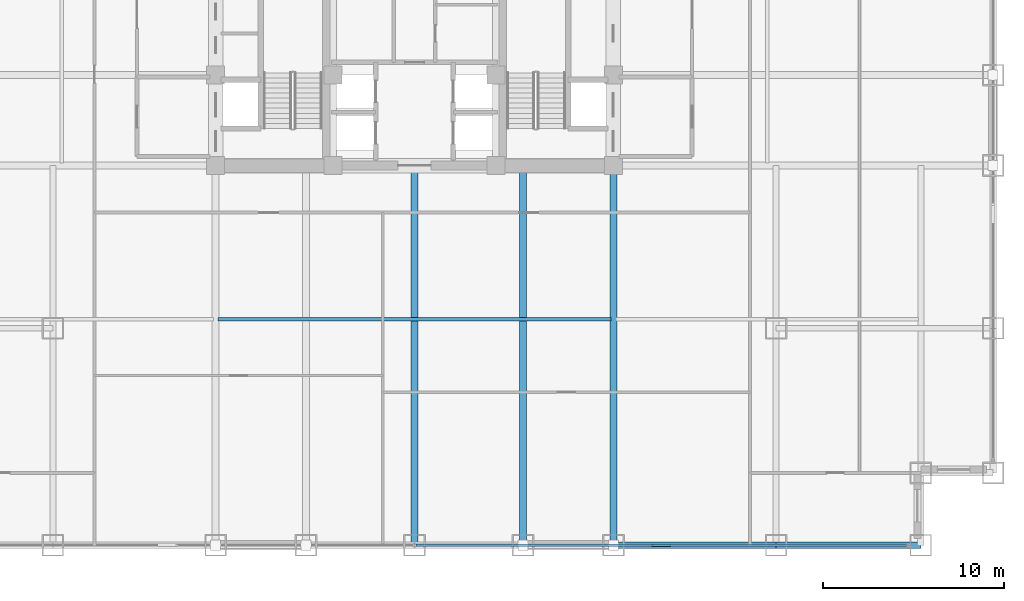
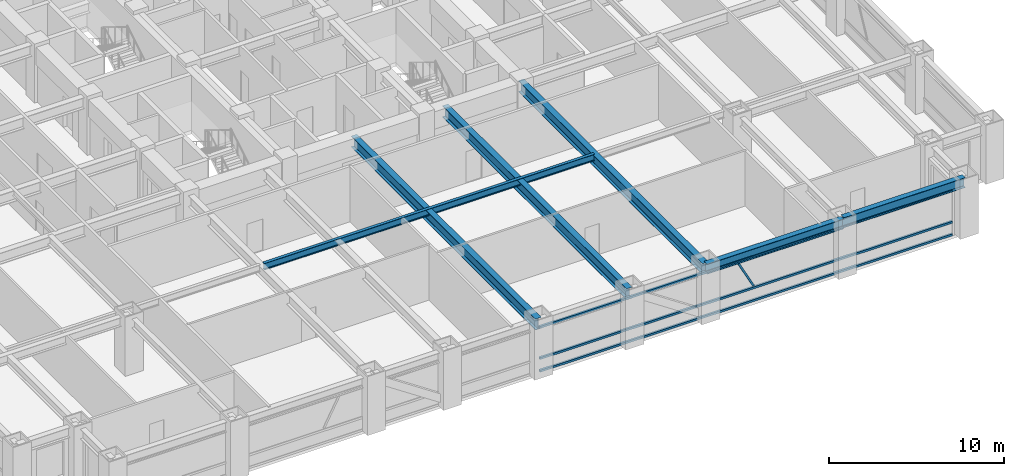
# One storey, part 5 of 27: 6 beams, 4 members, 1 element without a shape of its own.
"""IFC4 building model written with IfcOpenShell, lengths in metres."""

from ifc_helpers import new_model, si_unit, direction, frame, origin, origin_2d, place, context, subcontext, project, spatial, hollow_rectangle, i_section, extrude, source, transform, mapped, material, material_profile, profile_set, type_object, element, aggregate, save


model = new_model("IFC4")

# Units and contexts
model_context = context("Model", 3, precision=1e-05, world=origin(), true_north=direction((0.0, 1.0)))
body_context = subcontext(model_context, "Body", "Model", "MODEL_VIEW")
ifc_project = project(units=[si_unit("LENGTHUNIT", "METRE"), si_unit("AREAUNIT", "SQUARE_METRE"), si_unit("VOLUMEUNIT", "CUBIC_METRE"), si_unit("PLANEANGLEUNIT", "RADIAN"), si_unit("MASSUNIT", "GRAM", prefix="KILO")], contexts=[model_context])

# Site, building, storey
site_placement = place(None, origin())
site = spatial("IfcSite", under=ifc_project, at=site_placement, CompositionType="ELEMENT")
building_placement = place(site_placement, origin())
building = spatial("IfcBuilding", under=site, at=building_placement, Name="Khorayat Bourse Tower", CompositionType="ELEMENT")
storey_placement = place(building_placement, frame((0.0, 0.0, 140.60009765625)))
storey = spatial("IfcBuildingStorey", under=building, at=storey_placement, Name="L32", CompositionType="ELEMENT", Elevation=140.60009765625)

# Beams
ifc_material_1 = material(Name="Steel ASTM A992 Grade 50", Category="steel")
ifc_material_profile_1 = material_profile(ifc_material_1, i_section(OverallWidth=0.35498046875, OverallDepth=0.695068359375, WebThickness=0.015380859375, FlangeThickness=0.02490234375, FilletRadius=0.01806640625, at=origin_2d()), Name="W690X217")
ifc_profile_set_1 = profile_set([ifc_material_profile_1], Name="Steel ASTM A992 Grade 50")
beam_type_1 = type_object("IfcBeamType", Name="BM-SPAN-690", PredefinedType="SPANDREL", material=ifc_profile_set_1)
shared_shape_1 = source(origin(), body_context, "Body", "SweptSolid", [
    extrude(i_section(OverallWidth=0.35498046875, OverallDepth=0.695068359375, WebThickness=0.015380859375, FlangeThickness=0.02490234375, FilletRadius=0.01806640625, at=origin_2d()), origin(), (0.0, 0.0, 1.0), 9.0),
])
beam_1_placement = place(storey_placement, frame((11.0, -32.0, 3.412353515625), z_axis=(1.0, 0.0, 0.0), x_axis=(0.0, 1.0, 0.0)))
element("IfcBeam", 1, at=beam_1_placement, inside=storey, type_object=beam_type_1, Name="L32 BM-SPAN-690 BM-L32-SPN-030", PredefinedType="SPANDREL", context=body_context, shape_type="MappedRepresentation", body=[
    mapped(shared_shape_1, transform((0.0, 0.0, 0.0), scale=1.0)),
])
ifc_material_profile_2 = material_profile(ifc_material_1, i_section(OverallWidth=0.194091796875, OverallDepth=0.468994140625, WebThickness=0.0126953125, FlangeThickness=0.0205078125, FilletRadius=0.012939453125, at=origin_2d()), Name="W460X106")
ifc_profile_set_2 = profile_set([ifc_material_profile_2], Name="Steel ASTM A992 Grade 50")
beam_type_2 = type_object("IfcBeamType", Name="BM-JOIST-460", PredefinedType="JOIST", material=ifc_profile_set_2)
shared_shape_2 = source(origin(), body_context, "Body", "SweptSolid", [
    extrude(i_section(OverallWidth=0.194091796875, OverallDepth=0.468994140625, WebThickness=0.0126953125, FlangeThickness=0.0205078125, FilletRadius=0.012939453125, at=origin_2d()), origin(), (0.0, 0.0, 1.0), 21.740234375),
])
beam_2_placement = place(storey_placement, frame((-10.8701171875, -19.5, 3.60546875), z_axis=(1.0, 0.0, 0.0), x_axis=(0.0, 1.0, 0.0)))
element("IfcBeam", 2, at=beam_2_placement, inside=storey, type_object=beam_type_2, Name="L32 BM-JOIST-460 BM-L32-JSTX-097", PredefinedType="JOIST", context=body_context, shape_type="MappedRepresentation", body=[
    mapped(shared_shape_2, transform((0.0, 0.0, 0.0), scale=1.0)),
])
shared_shape_3 = source(origin(), body_context, "Body", "SweptSolid", [
    extrude(i_section(OverallWidth=0.35498046875, OverallDepth=0.695068359375, WebThickness=0.015380859375, FlangeThickness=0.02490234375, FilletRadius=0.01806640625, at=origin_2d()), origin(), (0.0, 0.0, 1.0), 8.0),
])
beam_3_placement = place(storey_placement, frame((20.0, -32.0, 3.492431640625), z_axis=(1.0, 0.0, 0.0), x_axis=(0.0, 1.0, 0.0)))
element("IfcBeam", 3, at=beam_3_placement, inside=storey, type_object=beam_type_1, Name="L32 BM-SPAN-690 BM-L32-SPN-031", PredefinedType="SPANDREL", context=body_context, shape_type="MappedRepresentation", body=[
    mapped(shared_shape_3, transform((0.0, 0.0, 0.0), scale=1.0)),
])
ifc_material_profile_3 = material_profile(ifc_material_1, i_section(OverallWidth=0.381103515625, OverallDepth=0.77294921875, WebThickness=0.0166015625, FlangeThickness=0.027587890625, FilletRadius=0.01806640625, at=origin_2d()), Name="W760X257")
ifc_profile_set_3 = profile_set([ifc_material_profile_3], Name="Steel ASTM A992 Grade 50")
beam_type_3 = type_object("IfcBeamType", Name="BM-GIRD-760", PredefinedType="BEAM", material=ifc_profile_set_3)
shared_shape_4 = source(origin(), body_context, "Body", "SweptSolid", [
    extrude(i_section(OverallWidth=0.381103515625, OverallDepth=0.77294921875, WebThickness=0.0166015625, FlangeThickness=0.027587890625, FilletRadius=0.01806640625, at=origin_2d()), origin(), (0.0, 0.0, 1.0), 21.0),
])
for number, where, z_axis, x_axis, name in (
    (4, (0.0, -32.0, 3.373291015625), (0.0, 1.0, 0.0), (-1.0, 0.0, 0.0), "L32 BM-GIRD-760 BM-L32-RADY-069"),
    (5, (6.0, -32.0, 3.373291015625), (0.0, 1.0, 0.0), (-1.0, 0.0, 0.0), "L32 BM-GIRD-760 BM-L32-RADY-071"),
    (6, (11.0, -32.0, 3.373291015625), (0.0, 1.0, 0.0), (-1.0, 0.0, 0.0), "L32 BM-GIRD-760 BM-L32-RADY-073"),
):
    element("IfcBeam", number, at=place(storey_placement, frame(where, z_axis=z_axis, x_axis=x_axis)), inside=storey, type_object=beam_type_3, Name=name, PredefinedType="BEAM", context=body_context, shape_type="MappedRepresentation", body=[
        mapped(shared_shape_4, transform((0.0, 0.0, 0.0), scale=1.0)),
    ])

# Curtain wall, members
ifc_material_2 = material(Name="Aluminium EN AW-6063 T6", Category="aluminium")
curtain_wall_type = type_object("IfcCurtainWallType", Name="CW-SYS-02", PredefinedType="NOTDEFINED", material=ifc_material_2)
curtain_wall_placement = place(storey_placement, origin())
curtain_wall = element("IfcCurtainWall", 7, at=curtain_wall_placement, inside=storey, type_object=curtain_wall_type, Name="L32 Curtain Wall CW-L32-S1", PredefinedType="NOTDEFINED")
ifc_material_profile_4 = material_profile(ifc_material_2, hollow_rectangle(XDim=0.139892578125, YDim=0.139892578125, WallThickness=0.006103515625, at=origin_2d()), Name="ALU 140x140x6")
ifc_profile_set_4 = profile_set([ifc_material_profile_4], Name="Aluminium EN AW-6063 T6")
member_type_1 = type_object("IfcMemberType", Name="CWT-HORZ-140", PredefinedType="USERDEFINED", material=ifc_profile_set_4)
shared_shape_5 = source(origin(), body_context, "Body", "SweptSolid", [
    extrude(hollow_rectangle(XDim=0.139892578125, YDim=0.139892578125, WallThickness=0.006103515625, at=origin_2d()), origin(), (0.0, 0.0, 1.0), 27.139892578125),
])
member_1_placement = place(storey_placement, frame((0.070068359375, -32.0, 0.06982421875), z_axis=(1.0, 0.0, 0.0), x_axis=(0.0, 1.0, 0.0)))
member_1 = element("IfcMember", 8, at=member_1_placement, type_object=member_type_1, Name="CW-L32-S1 Horizontal Transom 2-1", ObjectType="TRANSOM", PredefinedType="USERDEFINED", context=body_context, shape_type="MappedRepresentation", body=[
    mapped(shared_shape_5, transform((0.0, 0.0, 0.0), scale=1.0)),
])
member_2_placement = place(storey_placement, frame((0.070068359375, -32.0, 0.949951171875), z_axis=(1.0, 0.0, 0.0), x_axis=(0.0, 1.0, 0.0)))
member_2 = element("IfcMember", 9, at=member_2_placement, type_object=member_type_1, Name="CW-L32-S1 Horizontal Transom 2-2", ObjectType="TRANSOM", PredefinedType="USERDEFINED", context=body_context, shape_type="MappedRepresentation", body=[
    mapped(shared_shape_5, transform((0.0, 0.0, 0.0), scale=1.0)),
])
member_3_placement = place(storey_placement, frame((0.070068359375, -32.0, 3.119873046875), z_axis=(1.0, 0.0, 0.0), x_axis=(0.0, 1.0, 0.0)))
member_3 = element("IfcMember", 10, at=member_3_placement, type_object=member_type_1, Name="CW-L32-S1 Horizontal Transom 2-3", ObjectType="TRANSOM", PredefinedType="USERDEFINED", context=body_context, shape_type="MappedRepresentation", body=[
    mapped(shared_shape_5, transform((0.0, 0.0, 0.0), scale=1.0)),
])
ifc_material_profile_5 = material_profile(ifc_material_2, hollow_rectangle(XDim=0.1201171875, YDim=0.1201171875, WallThickness=0.0048828125, at=origin_2d()), Name="ALU 120x120x5")
ifc_profile_set_5 = profile_set([ifc_material_profile_5], Name="Aluminium EN AW-6063 T6")
member_type_2 = type_object("IfcMemberType", Name="CWM-DIAG-120", PredefinedType="MULLION", material=ifc_profile_set_5)
shared_shape_6 = source(origin(), body_context, "Body", "SweptSolid", [
    extrude(hollow_rectangle(XDim=0.1201171875, YDim=0.1201171875, WallThickness=0.0048828125, at=origin_2d()), origin(), (0.0, 0.0, 1.0), 2.11328125),
])
member_4_placement = place(storey_placement, frame((14.132080078125, -32.0, 1.099853515625), z_axis=(-0.465694055905, 0.0, 0.884945787207), x_axis=(0.0, -1.0, 0.0)))
member_4 = element("IfcMember", 11, at=member_4_placement, type_object=member_type_2, Name="CW-L32-S1 Faceted Diagonal Mullion 2", PredefinedType="MULLION", context=body_context, shape_type="MappedRepresentation", body=[
    mapped(shared_shape_6, transform((0.0, 0.0, 0.0), scale=1.0)),
])
aggregate(curtain_wall, [member_1, member_2, member_3, member_4])

save(model, "model.ifc")
